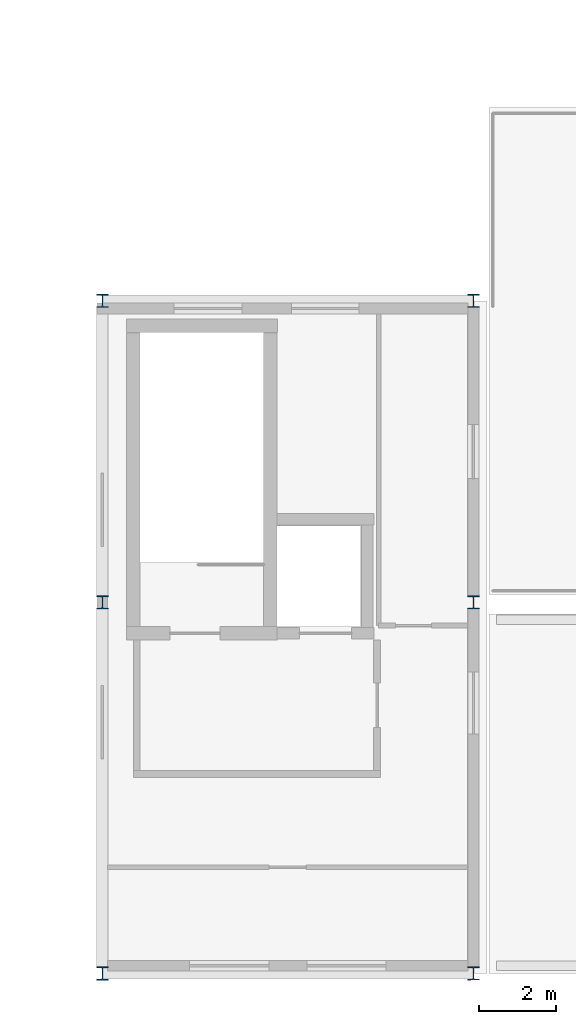
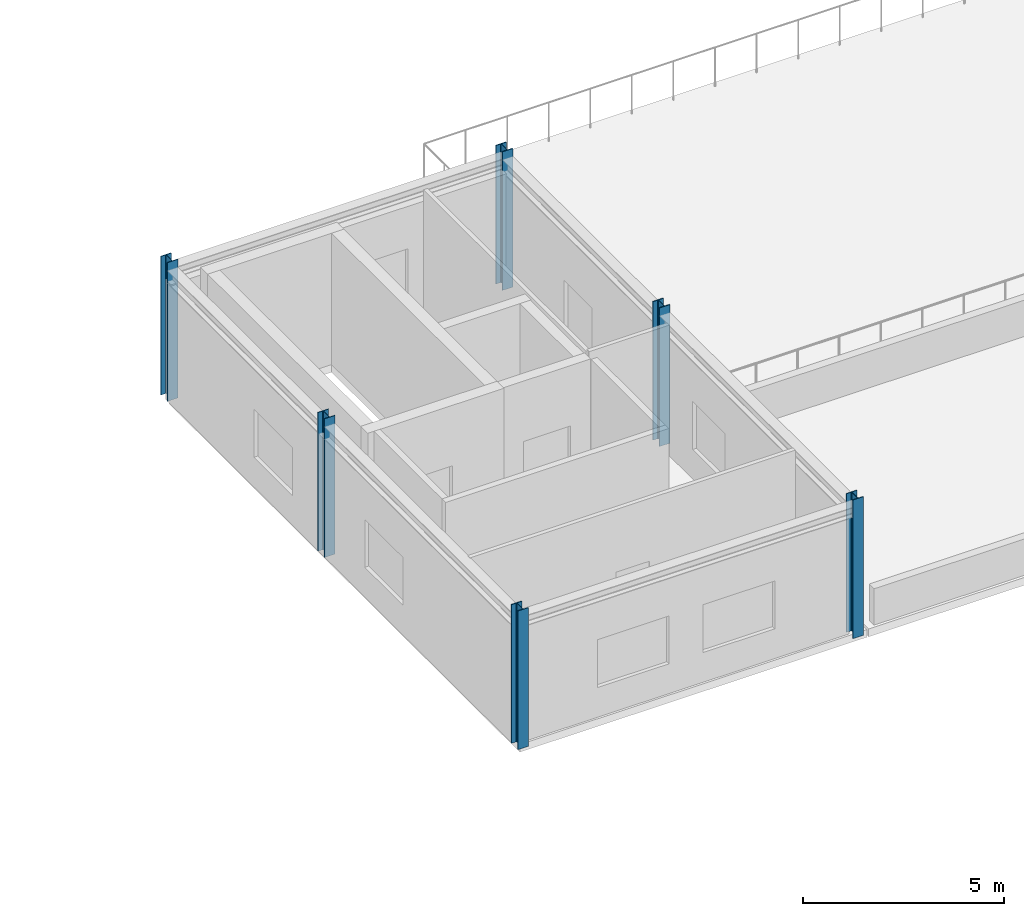
# One storey, part 12 of 76: 6 columns.
"""IFC4 building model written with IfcOpenShell, lengths in metres."""

import ifcopenshell
import ifcopenshell.guid

model = None  # the IFC model being written
_history = None  # IfcOwnerHistory: only IFC2X3 demands one
_inside = {}  # id of a spatial element -> (the spatial element, [elements in it])
_under = {}  # id of a project, library or spatial element -> (it, [spatial elements below it])
_declared = {}  # id of a project -> (the project, [libraries it declares])
_typed = {}  # id of a type object -> (the type object, [elements of that type])
_made_of = {}  # id of a material, layer set ... -> (it, [elements and type objects made of it])


def new_model(schema):
    """Start an empty IFC model of exactly this schema.

    Asked for "IFC4X3", IfcOpenShell would pick the latest addendum, in which some entities
    have other attributes; the version numbers below select the first issue.
    IFC2X3 requires an IfcOwnerHistory on every rooted entity: one is made here for all.
    """
    global model, _history
    if schema == "IFC4X3":
        model = ifcopenshell.file(schema_version=(4, 3, 0, 0))
    else:
        model = ifcopenshell.file(schema=schema)
    _inside.clear()
    _under.clear()
    _declared.clear()
    _typed.clear()
    _made_of.clear()
    _history = None
    if model.schema == "IFC2X3":
        org = make("IfcOrganization", Name="unknown")
        user = make(
            "IfcPersonAndOrganization",
            ThePerson=make("IfcPerson", FamilyName="unknown"),
            TheOrganization=org,
        )
        app = make(
            "IfcApplication",
            ApplicationDeveloper=org,
            Version="unknown",
            ApplicationFullName="unknown",
            ApplicationIdentifier="unknown",
        )
        _history = make(
            "IfcOwnerHistory",
            OwningUser=user,
            OwningApplication=app,
            ChangeAction="ADDED",
            CreationDate=0,
        )
    return model


def make(cls, **values):
    """One entity of the class cls with the attributes given. An attribute that is None is left unset."""
    return model.create_entity(
        cls, **{name: value for name, value in values.items() if value is not None}
    )


def rooted(cls, **values):
    """An entity with a GlobalId (a new one), such as an element, a storey or a relation."""
    return make(cls, GlobalId=ifcopenshell.guid.new(), OwnerHistory=_history, **values)


def si_unit(unit_type, name, prefix=None):
    """IfcSIUnit, for example si_unit("LENGTHUNIT", "METRE", prefix="MILLI")."""
    return make("IfcSIUnit", UnitType=unit_type, Prefix=prefix, Name=name)


def assignment(units):
    """IfcUnitAssignment: the units of a project."""
    return None if units is None else make("IfcUnitAssignment", Units=units)


def point(xyz):
    """IfcCartesianPoint."""
    return None if xyz is None else make("IfcCartesianPoint", Coordinates=xyz)


def direction(xyz):
    """IfcDirection."""
    return None if xyz is None else make("IfcDirection", DirectionRatios=xyz)


def frame(location, z_axis=None, x_axis=None):
    """IfcAxis2Placement3D, a coordinate frame: its origin and axes. An axis left out is left unset."""
    return make(
        "IfcAxis2Placement3D",
        Location=point(location),
        Axis=direction(z_axis),
        RefDirection=direction(x_axis),
    )


def frame_2d(location, x_axis=None):
    """IfcAxis2Placement2D, a coordinate frame in the plane: its origin and x axis."""
    return make(
        "IfcAxis2Placement2D", Location=point(location), RefDirection=direction(x_axis)
    )


def origin():
    """The frame at (0, 0, 0) with its axes left unset."""
    return frame((0.0, 0.0, 0.0))


def origin_2d():
    """The frame at (0, 0) in the plane with its x axis left unset."""
    return frame_2d((0.0, 0.0))


def place(relative_to, where):
    """IfcLocalPlacement: puts the frame where relative to a parent placement (None: the world)."""
    return make(
        "IfcLocalPlacement", PlacementRelTo=relative_to, RelativePlacement=where
    )


def context(
    kind, dimensions, precision=None, world=None, true_north=None, identifier=None
):
    """IfcGeometricRepresentationContext, for example the 3D "Model" context."""
    return make(
        "IfcGeometricRepresentationContext",
        ContextIdentifier=identifier,
        ContextType=kind,
        CoordinateSpaceDimension=dimensions,
        Precision=precision,
        WorldCoordinateSystem=world,
        TrueNorth=true_north,
    )


def subcontext(parent, identifier, kind, view, scale=None):
    """IfcGeometricRepresentationSubContext, for example "Body" below "Model"."""
    return make(
        "IfcGeometricRepresentationSubContext",
        ContextIdentifier=identifier,
        ContextType=kind,
        ParentContext=parent,
        TargetScale=scale,
        TargetView=view,
    )


def project(units=None, contexts=None):
    """IfcProject with its units and contexts."""
    return rooted(
        "IfcProject",
        Name="project",
        RepresentationContexts=contexts,
        UnitsInContext=assignment(units),
    )


def spatial(cls, under=None, at=None, **own):
    """A site, building, storey or space (cls), placed at a placement, below another one or the project."""
    s = rooted(cls, ObjectPlacement=at, **own)
    if under is not None:
        _under.setdefault(under.id(), (under, []))[1].append(s)
    return s


def profile(cls, at=None, kind="AREA", **sizes):
    """A parametric profile (cls). Its sizes go by their IFC names, for example OverallWidth=200.0."""
    return make(cls, ProfileType=kind, Position=at, **sizes)


def i_section(**sizes):
    """IfcIShapeProfileDef."""
    return profile("IfcIShapeProfileDef", **sizes)


def extrude(swept, where, along, depth):
    """IfcExtrudedAreaSolid: the profile swept, set in the frame where, extruded along a direction by depth."""
    return make(
        "IfcExtrudedAreaSolid",
        SweptArea=swept,
        Position=where,
        ExtrudedDirection=direction(along),
        Depth=depth,
    )


def shape(context_of_items, identifier, shape_type, items):
    """IfcShapeRepresentation: the items that make up one representation, for example the "Body"."""
    return make(
        "IfcShapeRepresentation",
        ContextOfItems=context_of_items,
        RepresentationIdentifier=identifier,
        RepresentationType=shape_type,
        Items=items,
    )


def material(Name=None, Category=None):
    """IfcMaterial."""
    return make("IfcMaterial", Name=Name, Category=Category)


def material_profile(
    of_material, cross_section, Name=None, Category=None, Priority=None
):
    """IfcMaterialProfile: a cross section and its material."""
    return make(
        "IfcMaterialProfile",
        Name=Name,
        Material=of_material,
        Profile=cross_section,
        Priority=Priority,
        Category=Category,
    )


def profile_set(profiles, Name=None, composite=None):
    """IfcMaterialProfileSet."""
    return make(
        "IfcMaterialProfileSet",
        Name=Name,
        MaterialProfiles=profiles,
        CompositeProfile=composite,
    )


def made_of(thing, what):
    """Note that an element or type object is made of a material, layer set ...; save() writes the relation."""
    if what is not None:
        _made_of.setdefault(what.id(), (what, []))[1].append(thing)
    return thing


def type_object(cls, material=None, **own):
    """A type object (cls), such as IfcWallType, which elements share."""
    return made_of(rooted(cls, **own), material)


def element(
    cls,
    number,
    at=None,
    inside=None,
    cuts=None,
    type_object=None,
    material=None,
    context=None,
    identifier="Body",
    shape_type=None,
    held_by="IfcProductDefinitionShape",
    body=None,
    shapes=None,
    **own,
):
    """One element of the class cls, such as IfcWall. Its Tag is "e" and its number.

    at: its placement. inside: the storey or other place that contains it. cuts: it is an
    opening in that element (IfcRelVoidsElement). A single representation is given by context,
    identifier, shape_type and body (its items); several are given by shapes. held_by: the class
    of the entity that holds the representations. save() writes the other relations.
    """
    e = rooted(cls, Tag="e%d" % number, ObjectPlacement=at, **own)
    if body is not None:
        shapes = [shape(context, identifier, shape_type, body)]
    if shapes is not None:
        e.Representation = make(held_by, Representations=shapes)
    if inside is not None:
        _inside.setdefault(inside.id(), (inside, []))[1].append(e)
    if cuts is not None:
        rooted(
            "IfcRelVoidsElement", RelatingBuildingElement=cuts, RelatedOpeningElement=e
        )
    if type_object is not None:
        _typed.setdefault(type_object.id(), (type_object, []))[1].append(e)
    return made_of(e, material)


def aggregate(whole, parts):
    """IfcRelAggregates: a whole, such as a stair, and the parts it consists of."""
    return rooted("IfcRelAggregates", RelatingObject=whole, RelatedObjects=parts)


def save(model, path):
    """Write the relations noted so far, then the file.

    IfcRelAggregates (storeys below a building ...), IfcRelContainedInSpatialStructure (elements
    in a storey), IfcRelDefinesByType, IfcRelAssociatesMaterial and IfcRelDeclares: one each for
    every whole, place, type object, material and project.
    """
    for whole, parts in _under.values():
        aggregate(whole, parts)
    for where, things in _inside.values():
        rooted(
            "IfcRelContainedInSpatialStructure",
            RelatedElements=things,
            RelatingStructure=where,
        )
    for kind, things in _typed.values():
        rooted("IfcRelDefinesByType", RelatedObjects=things, RelatingType=kind)
    for what, things in _made_of.values():
        rooted("IfcRelAssociatesMaterial", RelatedObjects=things, RelatingMaterial=what)
    for by, libraries in _declared.values():
        rooted("IfcRelDeclares", RelatingContext=by, RelatedDefinitions=libraries)
    model.write(path)


model = new_model("IFC4")

# Units and contexts
model_context = context("Model", 3, precision=1e-05, world=origin(), true_north=direction((0.0, 1.0)))
body_context = subcontext(model_context, "Body", "Model", "MODEL_VIEW")
ifc_project = project(units=[si_unit("LENGTHUNIT", "METRE"), si_unit("AREAUNIT", "SQUARE_METRE"), si_unit("VOLUMEUNIT", "CUBIC_METRE"), si_unit("PLANEANGLEUNIT", "RADIAN"), si_unit("MASSUNIT", "GRAM", prefix="KILO")], contexts=[model_context])

# Site, building, storey
site_placement = place(None, origin())
site = spatial("IfcSite", under=ifc_project, at=site_placement, CompositionType="ELEMENT")
building_placement = place(site_placement, origin())
building = spatial("IfcBuilding", under=site, at=building_placement, Name="Nordkorset Police Headquarters", CompositionType="ELEMENT")
storey_placement = place(building_placement, frame((0.0, 0.0, 13.64990234375)))
storey = spatial("IfcBuildingStorey", under=building, at=storey_placement, Name="L03", CompositionType="ELEMENT", Elevation=13.64990234375)

# Columns
ifc_material = material(Name="Steel S355J2", Category="steel")
ifc_material_profile = material_profile(ifc_material, i_section(OverallWidth=0.300048828125, OverallDepth=0.340087890625, WebThickness=0.011962890625, FlangeThickness=0.021484375, FilletRadius=0.027099609375, at=origin_2d()), Name="HEB 340")
ifc_profile_set = profile_set([ifc_material_profile], Name="Steel S355J2")
column_type = type_object("IfcColumnType", Name="Col_HEB_340", PredefinedType="COLUMN", material=ifc_profile_set)
for number, where, z_axis, x_axis, name in (
    (1, (126.39990234375, 0.0, 0.0), (0.0, 0.0, 1.0), (1.0, 0.0, 0.0), "Structural Column V6_Y0_0 L03"),
    (2, (126.39990234375, 9.60009765625, 0.0), (0.0, 0.0, 1.0), (1.0, 0.0, 0.0), "Structural Column V6_Y1_0 L03"),
    (3, (126.39990234375, 17.39990234375, 0.0), (0.0, 0.0, 1.0), (1.0, 0.0, 0.0), "Structural Column V6_Y2_0 L03"),
    (4, (136.0, 0.0, 0.0), (0.0, 0.0, 1.0), (1.0, 0.0, 0.0), "Structural Column V6_Y0_1 L03"),
    (5, (136.0, 9.60009765625, 0.0), (0.0, 0.0, 1.0), (1.0, 0.0, 0.0), "Structural Column V6_Y1_1 L03"),
    (6, (136.0, 17.39990234375, 0.0), (0.0, 0.0, 1.0), (1.0, 0.0, 0.0), "Structural Column V6_Y2_1 L03"),
):
    element("IfcColumn", number, at=place(storey_placement, frame(where, z_axis=z_axis, x_axis=x_axis)), inside=storey, type_object=column_type, Name=name, PredefinedType="COLUMN", context=body_context, shape_type="SweptSolid", body=[
        extrude(i_section(OverallWidth=0.300048828125, OverallDepth=0.340087890625, WebThickness=0.011962890625, FlangeThickness=0.021484375, FilletRadius=0.027099609375, at=origin_2d()), origin(), (0.0, 0.0, 1.0), 4.2001953125),
    ])

save(model, "model.ifc")
